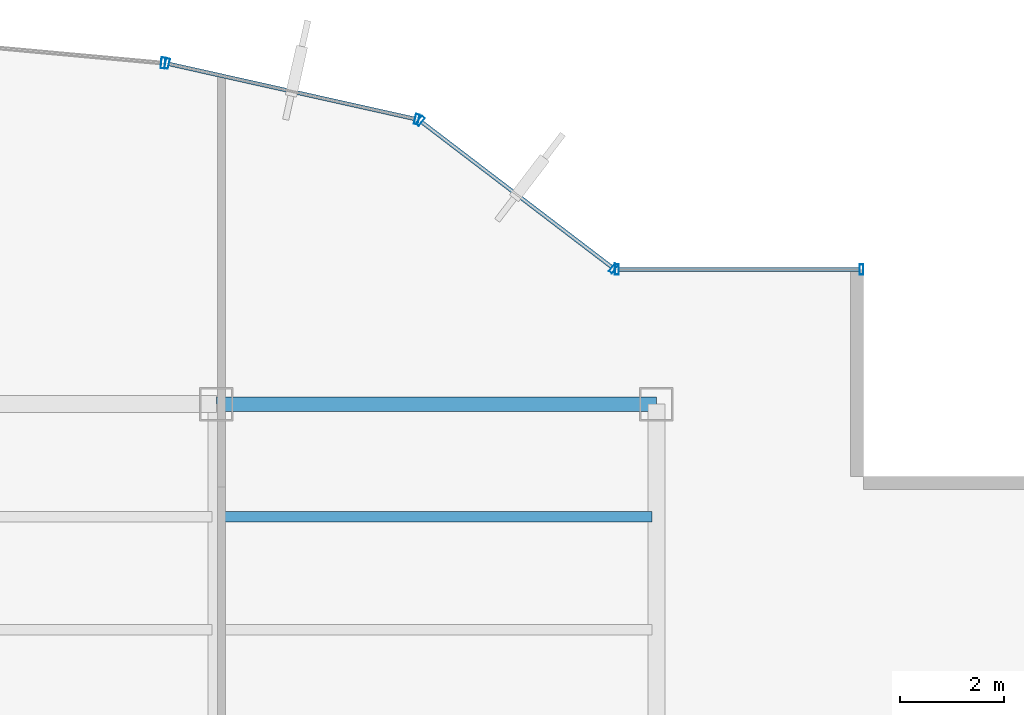
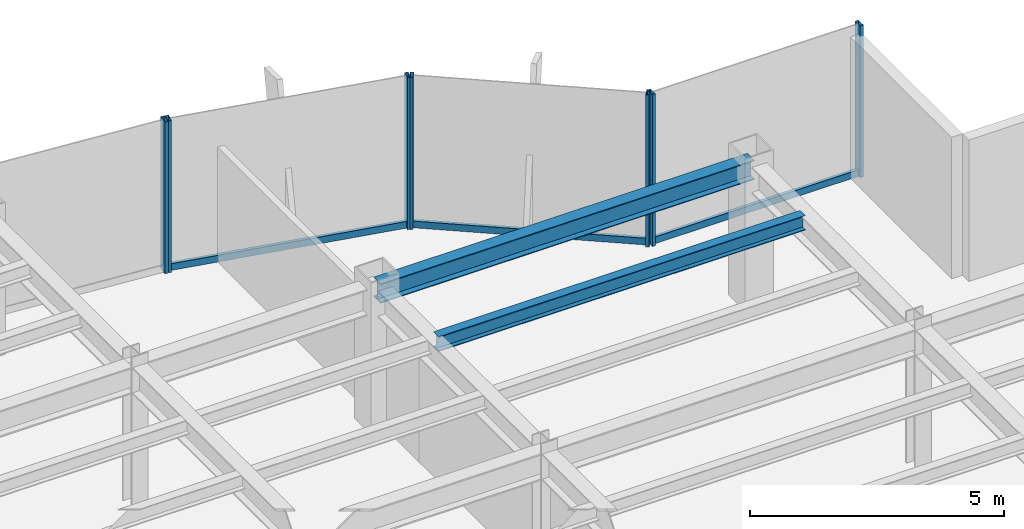
# One storey, part 17 of 25: 10 members, 2 beams, 4 elements without a shape of their own.
"""IFC4 building model written with IfcOpenShell, lengths in metres."""

from ifc_helpers import new_model, si_unit, derived_unit, direction, frame, origin, origin_2d, place, context, subcontext, project, spatial, hollow_rectangle, i_section, extrude, source, transform, mapped, material, material_profile, profile_set, type_object, element, aggregate, save


model = new_model("IFC4")

# Units and contexts
model_context = context("Model", 3, precision=1e-05, world=origin(), true_north=direction((0.0, 1.0)))
body_context = subcontext(model_context, "Body", "Model", "MODEL_VIEW")
ifc_project = project(units=[si_unit("LENGTHUNIT", "METRE"), si_unit("AREAUNIT", "SQUARE_METRE"), si_unit("VOLUMEUNIT", "CUBIC_METRE"), si_unit("PLANEANGLEUNIT", "RADIAN"), si_unit("MASSUNIT", "GRAM", prefix="KILO"), derived_unit("THERMALTRANSMITTANCEUNIT", [(si_unit("POWERUNIT", "WATT"), 1), (si_unit("LENGTHUNIT", "METRE"), -2), (si_unit("THERMODYNAMICTEMPERATUREUNIT", "KELVIN"), -1)])], contexts=[model_context])

# Site, building, storey
site_placement = place(None, origin())
site = spatial("IfcSite", under=ifc_project, at=site_placement, CompositionType="ELEMENT")
building_placement = place(site_placement, origin())
building = spatial("IfcBuilding", under=site, at=building_placement, Name="Skarnbrae Concourse Arena and Tower", CompositionType="ELEMENT")
storey_placement = place(building_placement, frame((0.0, 0.0, 169.800048828125)))
storey = spatial("IfcBuildingStorey", under=building, at=storey_placement, Name="L43", CompositionType="ELEMENT", Elevation=169.800048828125)

# Beams
ifc_material_1 = material(Name="Steel CSA G40.21 350W", Category="steel")
ifc_material_profile_1 = material_profile(ifc_material_1, i_section(OverallWidth=0.280029296875, OverallDepth=0.462890625, WebThickness=0.0107421875, FlangeThickness=0.017333984375, at=origin_2d()), Name="W460X113")
ifc_profile_set_1 = profile_set([ifc_material_profile_1], Name="Steel CSA G40.21 350W")
beam_type_1 = type_object("IfcBeamType", Name="BM-SPAN-W460X113", PredefinedType="SPANDREL", material=ifc_profile_set_1)
shared_shape_1 = source(origin(), body_context, "Body", "SweptSolid", [
    extrude(i_section(OverallWidth=0.280029296875, OverallDepth=0.462890625, WebThickness=0.0107421875, FlangeThickness=0.017333984375, at=origin_2d()), origin(), (0.0, 0.0, 1.0), 8.5),
])
beam_1_placement = place(storey_placement, frame((33.5, 34.39990234375, 3.16845703125), z_axis=(1.0, 0.0, 0.0), x_axis=(0.0, 1.0, 0.0)))
element("IfcBeam", 1, at=beam_1_placement, inside=storey, type_object=beam_type_1, Name="L43 Perimeter spandrel Y34.4-5", PredefinedType="SPANDREL", context=body_context, shape_type="MappedRepresentation", body=[
    mapped(shared_shape_1, transform((0.0, 0.0, 0.0))),
])
ifc_material_profile_2 = material_profile(ifc_material_1, i_section(OverallWidth=0.205078125, OverallDepth=0.35400390625, WebThickness=0.009521484375, FlangeThickness=0.016845703125, at=origin_2d()), Name="W360X79")
ifc_profile_set_2 = profile_set([ifc_material_profile_2], Name="Steel CSA G40.21 350W")
beam_type_2 = type_object("IfcBeamType", Name="BM-JOIST-W360X79", PredefinedType="JOIST", material=ifc_profile_set_2)
shared_shape_2 = source(origin(), body_context, "Body", "SweptSolid", [
    extrude(i_section(OverallWidth=0.205078125, OverallDepth=0.35400390625, WebThickness=0.009521484375, FlangeThickness=0.016845703125, at=origin_2d()), origin(), (0.0, 0.0, 1.0), 8.33984375),
])
beam_2_placement = place(storey_placement, frame((33.580078125, 32.221923828125, 3.222900390625), z_axis=(1.0, 0.0, 0.0), x_axis=(0.0, 1.0, 0.0)))
element("IfcBeam", 2, at=beam_2_placement, inside=storey, type_object=beam_type_2, Name="L43 Secondary floor joist 3.2.5", PredefinedType="JOIST", context=body_context, shape_type="MappedRepresentation", body=[
    mapped(shared_shape_2, transform((0.0, 0.0, 0.0))),
])

# Curtain wall, member
ifc_material_2 = material(Name="Bronze anodised aluminium 6063-T6", Category="aluminium")
curtain_wall_type_1 = type_object("IfcCurtainWallType", Name="CW-SYS-03-PORTAL", PredefinedType="USERDEFINED", material=ifc_material_2)
curtain_wall_1_placement = place(storey_placement, origin())
curtain_wall_1 = element("IfcCurtainWall", 3, at=curtain_wall_1_placement, inside=storey, type_object=curtain_wall_type_1, Name="L43 Unitised curtain wall CW-L43-E10", ObjectType="UNITISED CURTAIN WALL", PredefinedType="USERDEFINED")
ifc_material_profile_3 = material_profile(ifc_material_2, hollow_rectangle(XDim=0.080078125, YDim=0.2099609375, WallThickness=0.00439453125, at=origin_2d()), Name="ALU-MULL-80X210")
ifc_profile_set_3 = profile_set([ifc_material_profile_3], Name="Bronze anodised aluminium 6063-T6")
member_type_1 = type_object("IfcMemberType", Name="CWM-CW-03", PredefinedType="MULLION", material=ifc_profile_set_3)
shared_shape_3 = source(origin(), body_context, "Body", "SweptSolid", [
    extrude(hollow_rectangle(XDim=0.080078125, YDim=0.2099609375, WallThickness=0.00439453125, at=origin_2d()), origin(), (0.0, 0.0, 1.0), 3.64990234375),
])
member_1_placement = place(storey_placement, frame((32.472412109375, 40.990478515625, 0.0), z_axis=(0.0, 0.0, 1.0), x_axis=(-0.995819926016, 0.091338244731, 0.0)))
member_1 = element("IfcMember", 4, at=member_1_placement, type_object=member_type_1, Name="CW-L43-E10 Mullion 1", PredefinedType="MULLION", context=body_context, shape_type="MappedRepresentation", body=[
    mapped(shared_shape_3, transform((0.0, 0.0, 0.0))),
])
aggregate(curtain_wall_1, [member_1])

# Curtain wall, members
curtain_wall_type_2 = type_object("IfcCurtainWallType", Name="CW-SYS-04-MIDZONE", PredefinedType="USERDEFINED", material=ifc_material_2)
curtain_wall_2_placement = place(storey_placement, origin())
curtain_wall_2 = element("IfcCurtainWall", 5, at=curtain_wall_2_placement, inside=storey, type_object=curtain_wall_type_2, Name="L43 Unitised curtain wall CW-L43-E07", ObjectType="UNITISED CURTAIN WALL", PredefinedType="USERDEFINED")
ifc_material_profile_4 = material_profile(ifc_material_2, hollow_rectangle(XDim=0.074951171875, YDim=0.195068359375, WallThickness=0.00439453125, at=origin_2d()), Name="ALU-MULL-75X195")
ifc_profile_set_4 = profile_set([ifc_material_profile_4], Name="Bronze anodised aluminium 6063-T6")
member_type_2 = type_object("IfcMemberType", Name="CWM-CW-04", PredefinedType="MULLION", material=ifc_profile_set_4)
shared_shape_4 = source(origin(), body_context, "Body", "SweptSolid", [
    extrude(hollow_rectangle(XDim=0.074951171875, YDim=0.195068359375, WallThickness=0.00439453125, at=origin_2d()), origin(), (0.0, 0.0, 1.0), 3.64990234375),
])
member_2_placement = place(storey_placement, frame((45.96240234375, 37.0, 0.0), z_axis=(0.0, 0.0, 1.0), x_axis=(-1.0, 0.0, 0.0)))
member_2 = element("IfcMember", 6, at=member_2_placement, type_object=member_type_2, Name="CW-L43-E07 Mullion 1", PredefinedType="MULLION", context=body_context, shape_type="MappedRepresentation", body=[
    mapped(shared_shape_4, transform((0.0, 0.0, 0.0))),
])
member_3_placement = place(storey_placement, frame((41.237548828125, 37.0, 0.0), z_axis=(0.0, 0.0, 1.0), x_axis=(-1.0, 0.0, 0.0)))
member_3 = element("IfcMember", 7, at=member_3_placement, type_object=member_type_2, Name="CW-L43-E07 Mullion 2", PredefinedType="MULLION", context=body_context, shape_type="MappedRepresentation", body=[
    mapped(shared_shape_4, transform((0.0, 0.0, 0.0))),
])

curtain_wall_3_placement = place(storey_placement, origin())
curtain_wall_3 = element("IfcCurtainWall", 8, at=curtain_wall_3_placement, inside=storey, type_object=curtain_wall_type_2, Name="L43 Unitised curtain wall CW-L43-E08", ObjectType="UNITISED CURTAIN WALL", PredefinedType="USERDEFINED")
member_4_placement = place(storey_placement, frame((41.170166015625, 37.022705078125, 0.0), z_axis=(0.0, 0.0, 1.0), x_axis=(-0.794956000706, 0.606667089054, 0.0)))
member_4 = element("IfcMember", 9, at=member_4_placement, type_object=member_type_2, Name="CW-L43-E08 Mullion 1", PredefinedType="MULLION", context=body_context, shape_type="MappedRepresentation", body=[
    mapped(shared_shape_4, transform((0.0, 0.0, 0.0))),
])
member_5_placement = place(storey_placement, frame((37.439208984375, 39.869873046875, 0.0), z_axis=(0.0, 0.0, 1.0), x_axis=(-0.794956000706, 0.606667089054, 0.0)))
member_5 = element("IfcMember", 10, at=member_5_placement, type_object=member_type_2, Name="CW-L43-E08 Mullion 2", PredefinedType="MULLION", context=body_context, shape_type="MappedRepresentation", body=[
    mapped(shared_shape_4, transform((0.0, 0.0, 0.0))),
])

curtain_wall_4_placement = place(storey_placement, origin())
curtain_wall_4 = element("IfcCurtainWall", 11, at=curtain_wall_4_placement, inside=storey, type_object=curtain_wall_type_2, Name="L43 Unitised curtain wall CW-L43-E09", ObjectType="UNITISED CURTAIN WALL", PredefinedType="USERDEFINED")
member_6_placement = place(storey_placement, frame((37.372802734375, 39.90087890625, 0.0), z_axis=(0.0, 0.0, 1.0), x_axis=(-0.975936175393, 0.218056372433, 0.0)))
member_6 = element("IfcMember", 12, at=member_6_placement, type_object=member_type_2, Name="CW-L43-E09 Mullion 1", PredefinedType="MULLION", context=body_context, shape_type="MappedRepresentation", body=[
    mapped(shared_shape_4, transform((0.0, 0.0, 0.0))),
])
member_7_placement = place(storey_placement, frame((32.548828125, 40.978759765625, 0.0), z_axis=(0.0, 0.0, 1.0), x_axis=(-0.975936175393, 0.218056372433, 0.0)))
member_7 = element("IfcMember", 13, at=member_7_placement, type_object=member_type_2, Name="CW-L43-E09 Mullion 2", PredefinedType="MULLION", context=body_context, shape_type="MappedRepresentation", body=[
    mapped(shared_shape_4, transform((0.0, 0.0, 0.0))),
])

# Member
ifc_material_profile_5 = material_profile(ifc_material_2, hollow_rectangle(XDim=0.074951171875, YDim=0.159912109375, WallThickness=0.00439453125, at=origin_2d()), Name="ALU-TRAN-75X160")
ifc_profile_set_5 = profile_set([ifc_material_profile_5], Name="Bronze anodised aluminium 6063-T6")
member_type_3 = type_object("IfcMemberType", Name="CWT-CW-04", PredefinedType="USERDEFINED", material=ifc_profile_set_5)
shared_shape_5 = source(origin(), body_context, "Body", "SweptSolid", [
    extrude(hollow_rectangle(XDim=0.074951171875, YDim=0.159912109375, WallThickness=0.00439453125, at=origin_2d()), origin(), (0.0, 0.0, 1.0), 4.650146484375),
])
member_8_placement = place(storey_placement, frame((45.925048828125, 37.0, 0.079833984375), z_axis=(-1.0, 0.0, 0.0), x_axis=(0.0, -1.0, 0.0)))
member_8 = element("IfcMember", 14, at=member_8_placement, type_object=member_type_3, Name="CW-L43-E07 Transom 1", ObjectType="TRANSOM", PredefinedType="USERDEFINED", context=body_context, shape_type="MappedRepresentation", body=[
    mapped(shared_shape_5, transform((0.0, 0.0, 0.0))),
])

aggregate(curtain_wall_2, [member_2, member_3, member_8])

shared_shape_6 = source(origin(), body_context, "Body", "SweptSolid", [
    extrude(hollow_rectangle(XDim=0.074951171875, YDim=0.159912109375, WallThickness=0.00439453125, at=origin_2d()), origin(), (0.0, 0.0, 1.0), 4.618408203125),
])
member_9_placement = place(storey_placement, frame((41.140380859375, 37.04541015625, 0.079833984375), z_axis=(-0.794960638756, 0.606661011462, 0.0), x_axis=(-0.606661011462, -0.794960638756, 0.0)))
member_9 = element("IfcMember", 15, at=member_9_placement, type_object=member_type_3, Name="CW-L43-E08 Transom 1", ObjectType="TRANSOM", PredefinedType="USERDEFINED", context=body_context, shape_type="MappedRepresentation", body=[
    mapped(shared_shape_6, transform((0.0, 0.0, 0.0))),
])

aggregate(curtain_wall_3, [member_4, member_5, member_9])

shared_shape_7 = source(origin(), body_context, "Body", "SweptSolid", [
    extrude(hollow_rectangle(XDim=0.074951171875, YDim=0.159912109375, WallThickness=0.00439453125, at=origin_2d()), origin(), (0.0, 0.0, 1.0), 4.867919921875),
])
member_10_placement = place(storey_placement, frame((37.336181640625, 39.9091796875, 0.079833984375), z_axis=(-0.975944534406, 0.218018957349, 0.0), x_axis=(-0.218018957349, -0.975944534406, 0.0)))
member_10 = element("IfcMember", 16, at=member_10_placement, type_object=member_type_3, Name="CW-L43-E09 Transom 1", ObjectType="TRANSOM", PredefinedType="USERDEFINED", context=body_context, shape_type="MappedRepresentation", body=[
    mapped(shared_shape_7, transform((0.0, 0.0, 0.0))),
])

aggregate(curtain_wall_4, [member_6, member_7, member_10])

save(model, "model.ifc")
